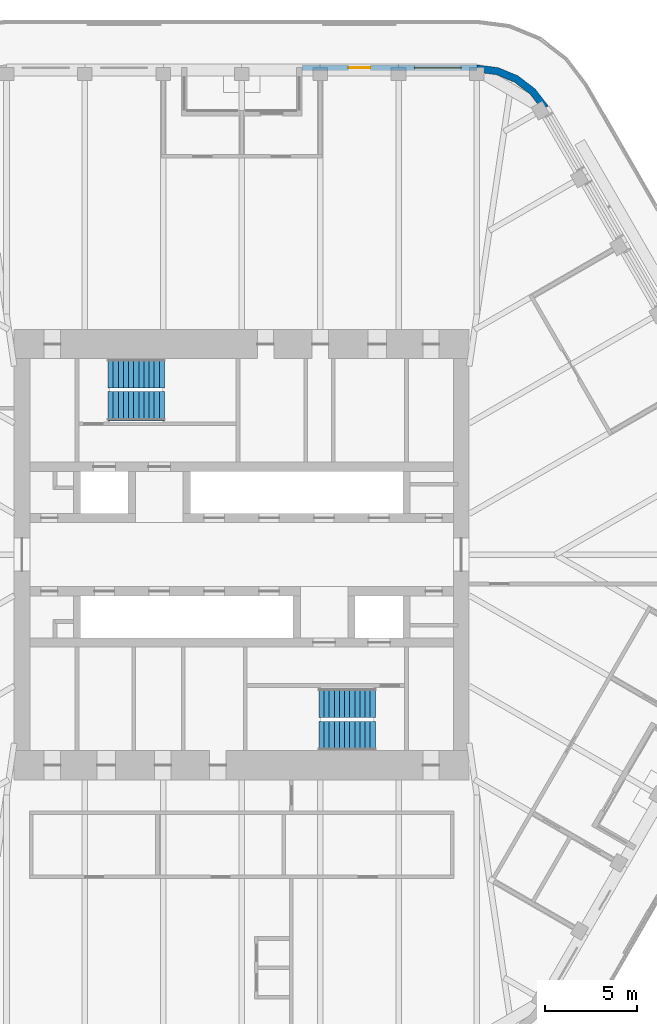
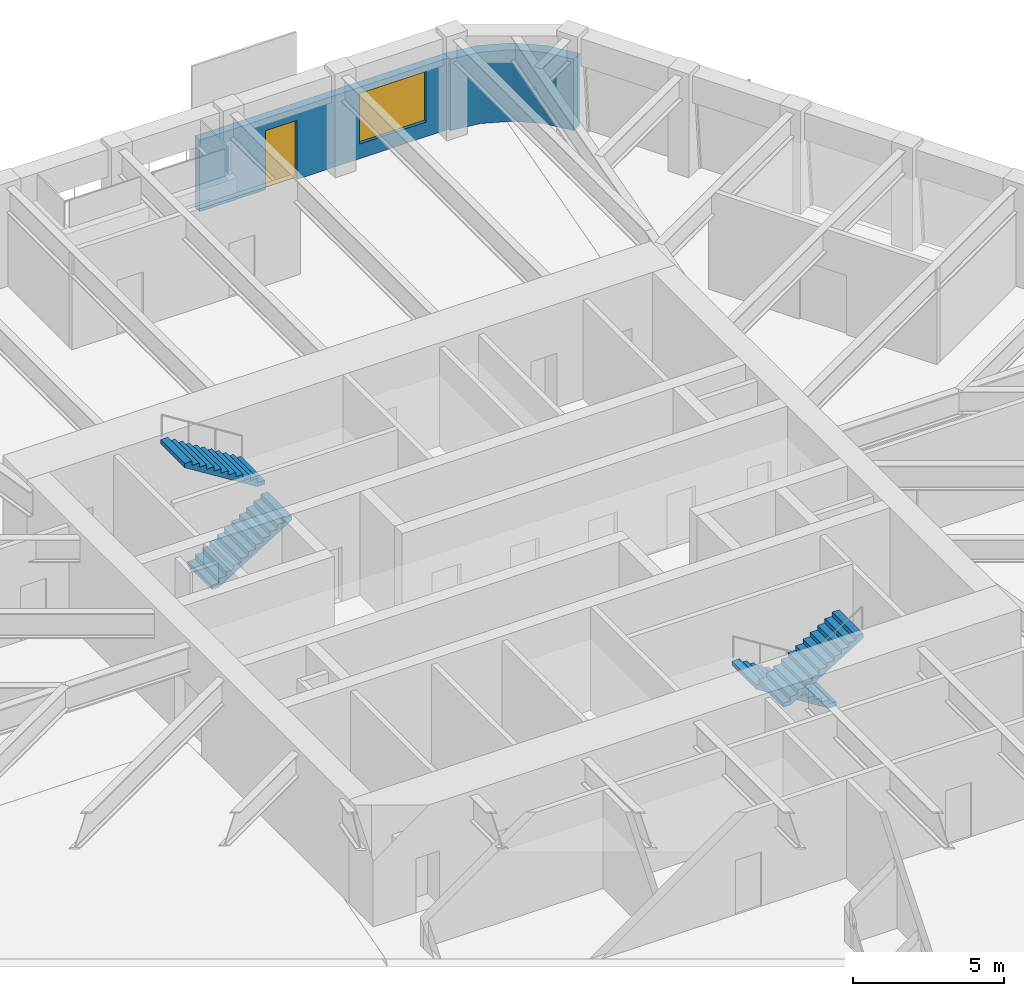
# One storey, part 17 of 20: 4 stair flights, 2 walls, 1 door, 1 window, 2 openings, 2 elements without a shape of their own.
"""IFC4 building model written with IfcOpenShell, lengths in metres."""

from ifc_helpers import new_model, si_unit, direction, frame, frame_2d, origin, place, context, subcontext, project, spatial, polyline, rectangle, outline, extrude, material, layer, layer_set, type_object, element, fill, aggregate, save


model = new_model("IFC4")

# Units and contexts
model_context = context("Model", 3, precision=1e-05, world=origin(), true_north=direction((0.0, 1.0)))
body_context = subcontext(model_context, "Body", "Model", "MODEL_VIEW")
ifc_project = project(units=[si_unit("LENGTHUNIT", "METRE"), si_unit("AREAUNIT", "SQUARE_METRE"), si_unit("VOLUMEUNIT", "CUBIC_METRE"), si_unit("PLANEANGLEUNIT", "RADIAN"), si_unit("MASSUNIT", "GRAM", prefix="KILO")], contexts=[model_context])

# Site, building, storey
site_placement = place(None, origin())
site = spatial("IfcSite", under=ifc_project, at=site_placement, CompositionType="ELEMENT")
building_placement = place(site_placement, origin())
building = spatial("IfcBuilding", under=site, at=building_placement, Name="Tarfa Lantern Tower", CompositionType="ELEMENT")
storey_placement = place(building_placement, frame((0.0, 0.0, 382.89990234375)))
storey = spatial("IfcBuildingStorey", under=building, at=storey_placement, Name="L87", CompositionType="ELEMENT", Elevation=382.89990234375)

# Wall, openings, door, window
ifc_material_1 = material(Name="Limestone cladding on blockwork", Category="masonry")
ifc_layer_1 = layer(ifc_material_1, 0.300048828125)
ifc_layer_set_1 = layer_set([ifc_layer_1], Name="EW1 STONE-CLAD WALL 300")
wall_type_1 = type_object("IfcWallType", Name="EW1 STONE-CLAD WALL 300", PredefinedType="SOLIDWALL", material=ifc_layer_set_1)
wall_1_placement = place(storey_placement, frame((12.845947265625, 26.60009765625, 0.0), z_axis=(0.0, 0.0, 1.0), x_axis=(-1.0, 0.0, 0.0)))
wall_1 = element("IfcWall", 1, at=wall_1_placement, inside=storey, type_object=wall_type_1, Name="Stone wall N", PredefinedType="SOLIDWALL", context=body_context, shape_type="SweptSolid", body=[
    extrude(rectangle(XDim=9.56396484375, YDim=0.300048828125, at=frame_2d((4.781982421875, 0.0))), origin(), (0.0, 0.0, 1.0), 2.900146484375),
])
opening_1_placement = place(wall_1_placement, frame((0.865966796875, 0.0, 0.60009765625)))
opening_1 = element("IfcOpeningElement", 2, at=opening_1_placement, cuts=wall_1, Name="Opening W17", PredefinedType="OPENING", context=body_context, shape_type="SweptSolid", body=[
    extrude(rectangle(XDim=2.550048828125, YDim=2.050048828125, at=frame_2d((1.27490234375, 1.02490234375))), frame((0.0, 0.159912109375, 0.0), z_axis=(0.0, -1.0, 0.0), x_axis=(1.0, 0.0, 0.0)), (0.0, 0.0, 1.0), 0.320068359375),
])
opening_2_placement = place(wall_1_placement, frame((5.822998046875, 0.0, 0.0)))
opening_2 = element("IfcOpeningElement", 3, at=opening_2_placement, cuts=wall_1, Name="Opening D39", PredefinedType="OPENING", context=body_context, shape_type="SweptSolid", body=[
    extrude(rectangle(XDim=1.199951171875, YDim=2.39990234375, at=frame_2d((0.60009765625, 1.199951171875))), frame((0.0, 0.159912109375, 0.0), z_axis=(0.0, -1.0, 0.0), x_axis=(1.0, 0.0, 0.0)), (0.0, 0.0, 1.0), 0.320068359375),
])
ifc_material_2 = material(Name="Aluminium framed glazed door", Category="aluminium")
door_type = type_object("IfcDoorType", Name="BE3 BALCONY DOOR 1200x2400", OperationType="SINGLE_SWING_RIGHT", PredefinedType="DOOR", material=ifc_material_2)
door_placement = place(opening_2_placement, origin())
door = element("IfcDoor", 4, at=door_placement, inside=storey, type_object=door_type, Name="Balcony door N", OperationType="SINGLE_SWING_LEFT", OverallHeight=2.39990234375, OverallWidth=1.199951171875, PredefinedType="DOOR", context=body_context, shape_type="SweptSolid", body=[
    extrude(rectangle(XDim=1.199951171875, YDim=2.39990234375, at=frame_2d((0.60009765625, 1.199951171875))), frame((0.0, 0.02490234375, 0.0), z_axis=(0.0, -1.0, 0.0), x_axis=(1.0, 0.0, 0.0)), (0.0, 0.0, 1.0), 0.050048828125),
])
fill(opening_2, door)
ifc_material_3 = material(Name="Aluminium frame, double glazed", Category="aluminium")
window_type = type_object("IfcWindowType", Name="W17 FULL-HEIGHT GLAZING 2550x2050", PartitioningType="SINGLE_PANEL", PredefinedType="WINDOW", material=ifc_material_3)
window_placement = place(opening_1_placement, origin())
window = element("IfcWindow", 5, at=window_placement, inside=storey, type_object=window_type, Name="Window N 1", OverallHeight=2.050048828125, OverallWidth=2.550048828125, PartitioningType="SINGLE_PANEL", PredefinedType="WINDOW", context=body_context, shape_type="SweptSolid", body=[
    extrude(rectangle(XDim=2.550048828125, YDim=2.050048828125, at=frame_2d((1.27490234375, 1.02490234375))), frame((0.0, 0.030029296875, 0.0), z_axis=(0.0, -1.0, 0.0), x_axis=(1.0, 0.0, 0.0)), (0.0, 0.0, 1.0), 0.06005859375),
])
fill(opening_1, window)

# Wall
ifc_layer_2 = layer(ifc_material_1, 0.39990234375)
ifc_layer_set_2 = layer_set([ifc_layer_2], Name="EW2 CURVED STONE CORNER 400")
wall_type_2 = type_object("IfcWallType", Name="EW2 CURVED STONE CORNER 400", PredefinedType="SOLIDWALL", material=ifc_layer_set_2)
wall_2_placement = place(storey_placement, origin())
element("IfcWall", 6, at=wall_2_placement, inside=storey, type_object=wall_type_2, Name="Stone corner NE-N", PredefinedType="SOLIDWALL", context=body_context, shape_type="SweptSolid", body=[
    extrude(outline(polyline([(16.7431640625, 24.5), (16.028076171875, 25.431884765625), (15.095947265625, 26.147216796875), (14.0107421875, 26.5966796875), (12.845947265625, 26.75), (12.845947265625, 26.35009765625), (13.9072265625, 26.210205078125), (14.89599609375, 25.80078125), (15.7451171875, 25.149169921875), (16.396728515625, 24.300048828125), (16.7431640625, 24.5)])), origin(), (0.0, 0.0, 1.0), 2.900146484375),
])

# Stair, stair flights
ifc_material_4 = material(Name="Concrete C40/50", Category="concrete")
stair_type = type_object("IfcStairType", Name="ST-T10 HALF-TURN STAIR 4200 RISE", PredefinedType="HALF_TURN_STAIR", material=ifc_material_4)
stair_1_placement = place(storey_placement, origin())
stair_1 = element("IfcStair", 7, at=stair_1_placement, inside=storey, type_object=stair_type, Name="Stair ST1", PredefinedType="HALF_TURN_STAIR")
stair_flight_type = type_object("IfcStairFlightType", Name="SF1 STAIR FLIGHT", PredefinedType="STRAIGHT", material=ifc_material_4)
stair_flight_1_placement = place(storey_placement, frame((-7.300048828125, 8.10009765625, 0.0), z_axis=(0.0, 0.0, 1.0), x_axis=(1.0, 0.0, 0.0)))
stair_flight_1 = element("IfcStairFlight", 8, at=stair_flight_1_placement, type_object=stair_flight_type, Name="ST1 flight 1", NumberOfRisers=12, NumberOfTreads=11, PredefinedType="STRAIGHT", RiserHeight=0.175, TreadLength=0.28, context=body_context, shape_type="SweptSolid", body=[
    extrude(outline(polyline([(0.0, 0.0), (0.0, 0.175048828125), (0.280029296875, 0.175048828125), (0.280029296875, 0.35009765625), (0.56005859375, 0.35009765625), (0.56005859375, 0.52490234375), (0.840087890625, 0.52490234375), (0.840087890625, 0.699951171875), (1.1201171875, 0.699951171875), (1.1201171875, 0.875), (1.39990234375, 0.875), (1.39990234375, 1.050048828125), (1.679931640625, 1.050048828125), (1.679931640625, 1.22509765625), (1.9599609375, 1.22509765625), (1.9599609375, 1.39990234375), (2.239990234375, 1.39990234375), (2.239990234375, 1.574951171875), (2.52001953125, 1.574951171875), (2.52001953125, 1.75), (2.800048828125, 1.75), (2.800048828125, 1.925048828125), (3.080078125, 1.925048828125), (3.080078125, 2.10009765625), (3.080078125, 1.748291015625), (0.28271484375, 0.0), (0.0, 0.0)])), frame((0.0, 0.800048828125, 0.0), z_axis=(0.0, -1.0, 0.0), x_axis=(1.0, 0.0, 0.0)), (0.0, 0.0, 1.0), 1.60009765625),
])
stair_flight_2_placement = place(storey_placement, frame((-4.219970703125, 9.89990234375, 2.10009765625), z_axis=(0.0, 0.0, 1.0), x_axis=(-1.0, 0.0, 0.0)))
stair_flight_2 = element("IfcStairFlight", 9, at=stair_flight_2_placement, type_object=stair_flight_type, Name="ST1 flight 2", NumberOfRisers=12, NumberOfTreads=11, PredefinedType="STRAIGHT", RiserHeight=0.175, TreadLength=0.28, context=body_context, shape_type="SweptSolid", body=[
    extrude(outline(polyline([(0.0, 0.0), (0.0, 0.175048828125), (0.280029296875, 0.175048828125), (0.280029296875, 0.35009765625), (0.56005859375, 0.35009765625), (0.56005859375, 0.52490234375), (0.840087890625, 0.52490234375), (0.840087890625, 0.699951171875), (1.1201171875, 0.699951171875), (1.1201171875, 0.875), (1.39990234375, 0.875), (1.39990234375, 1.050048828125), (1.679931640625, 1.050048828125), (1.679931640625, 1.22509765625), (1.9599609375, 1.22509765625), (1.9599609375, 1.39990234375), (2.239990234375, 1.39990234375), (2.239990234375, 1.574951171875), (2.52001953125, 1.574951171875), (2.52001953125, 1.75), (2.800048828125, 1.75), (2.800048828125, 1.925048828125), (3.080078125, 1.925048828125), (3.080078125, 2.10009765625), (3.080078125, 1.748291015625), (0.28271484375, 0.0), (0.0, 0.0)])), frame((0.0, 0.800048828125, 0.0), z_axis=(0.0, -1.0, 0.0), x_axis=(1.0, 0.0, 0.0)), (0.0, 0.0, 1.0), 1.60009765625),
])
aggregate(stair_1, [stair_flight_1, stair_flight_2])

stair_2_placement = place(storey_placement, origin())
stair_2 = element("IfcStair", 10, at=stair_2_placement, inside=storey, type_object=stair_type, Name="Stair ST2", PredefinedType="HALF_TURN_STAIR")
stair_flight_3_placement = place(storey_placement, frame((7.300048828125, -8.10009765625, 0.0), z_axis=(0.0, 0.0, 1.0), x_axis=(-1.0, 0.0, 0.0)))
stair_flight_3 = element("IfcStairFlight", 11, at=stair_flight_3_placement, type_object=stair_flight_type, Name="ST2 flight 1", NumberOfRisers=12, NumberOfTreads=11, PredefinedType="STRAIGHT", RiserHeight=0.175, TreadLength=0.28, context=body_context, shape_type="SweptSolid", body=[
    extrude(outline(polyline([(0.0, 0.0), (0.0, 0.175048828125), (0.280029296875, 0.175048828125), (0.280029296875, 0.35009765625), (0.56005859375, 0.35009765625), (0.56005859375, 0.52490234375), (0.840087890625, 0.52490234375), (0.840087890625, 0.699951171875), (1.1201171875, 0.699951171875), (1.1201171875, 0.875), (1.39990234375, 0.875), (1.39990234375, 1.050048828125), (1.679931640625, 1.050048828125), (1.679931640625, 1.22509765625), (1.9599609375, 1.22509765625), (1.9599609375, 1.39990234375), (2.239990234375, 1.39990234375), (2.239990234375, 1.574951171875), (2.52001953125, 1.574951171875), (2.52001953125, 1.75), (2.800048828125, 1.75), (2.800048828125, 1.925048828125), (3.080078125, 1.925048828125), (3.080078125, 2.10009765625), (3.080078125, 1.748291015625), (0.28271484375, 0.0), (0.0, 0.0)])), frame((0.0, 0.800048828125, 0.0), z_axis=(0.0, -1.0, 0.0), x_axis=(1.0, 0.0, 0.0)), (0.0, 0.0, 1.0), 1.60009765625),
])
stair_flight_4_placement = place(storey_placement, frame((4.219970703125, -9.89990234375, 2.10009765625), z_axis=(0.0, 0.0, 1.0), x_axis=(1.0, 0.0, 0.0)))
stair_flight_4 = element("IfcStairFlight", 12, at=stair_flight_4_placement, type_object=stair_flight_type, Name="ST2 flight 2", NumberOfRisers=12, NumberOfTreads=11, PredefinedType="STRAIGHT", RiserHeight=0.175, TreadLength=0.28, context=body_context, shape_type="SweptSolid", body=[
    extrude(outline(polyline([(0.0, 0.0), (0.0, 0.175048828125), (0.280029296875, 0.175048828125), (0.280029296875, 0.35009765625), (0.56005859375, 0.35009765625), (0.56005859375, 0.52490234375), (0.840087890625, 0.52490234375), (0.840087890625, 0.699951171875), (1.1201171875, 0.699951171875), (1.1201171875, 0.875), (1.39990234375, 0.875), (1.39990234375, 1.050048828125), (1.679931640625, 1.050048828125), (1.679931640625, 1.22509765625), (1.9599609375, 1.22509765625), (1.9599609375, 1.39990234375), (2.239990234375, 1.39990234375), (2.239990234375, 1.574951171875), (2.52001953125, 1.574951171875), (2.52001953125, 1.75), (2.800048828125, 1.75), (2.800048828125, 1.925048828125), (3.080078125, 1.925048828125), (3.080078125, 2.10009765625), (3.080078125, 1.748291015625), (0.28271484375, 0.0), (0.0, 0.0)])), frame((0.0, 0.800048828125, 0.0), z_axis=(0.0, -1.0, 0.0), x_axis=(1.0, 0.0, 0.0)), (0.0, 0.0, 1.0), 1.60009765625),
])
aggregate(stair_2, [stair_flight_3, stair_flight_4])

save(model, "model.ifc")
